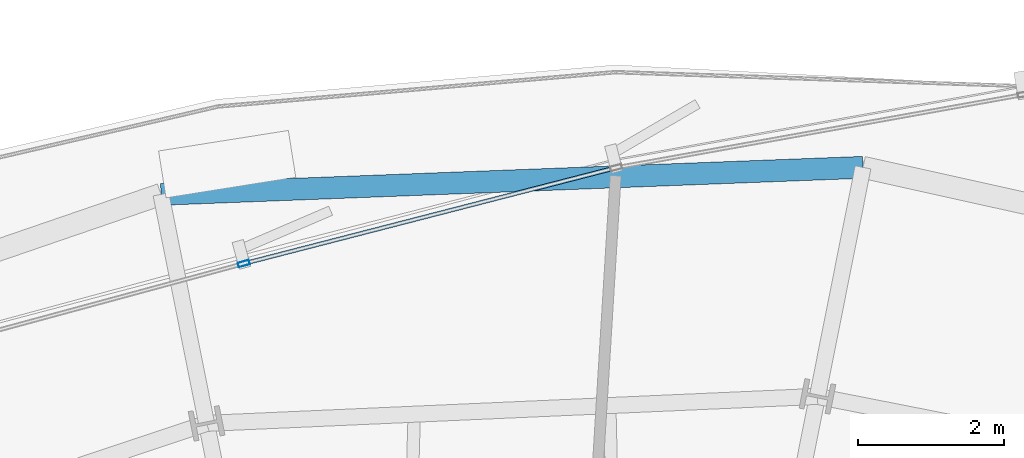
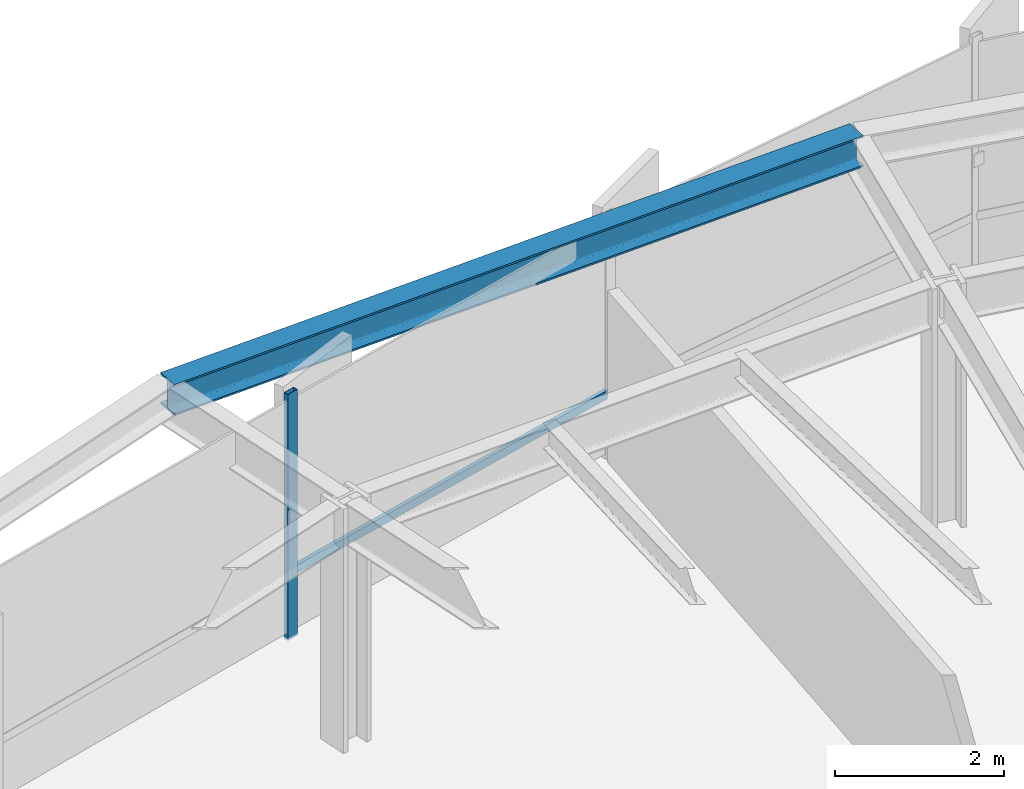
# One storey, part 23 of 38: 2 members, 1 beam, 1 element without a shape of its own.
"""IFC4 building model written with IfcOpenShell, lengths in metres."""

from ifc_helpers import new_model, si_unit, direction, frame, origin, origin_2d, place, context, subcontext, project, spatial, hollow_rectangle, i_section, extrude, source, transform, mapped, material, layer, layer_set, material_profile, profile_set, type_object, element, aggregate, save


model = new_model("IFC4")

# Units and contexts
model_context = context("Model", 3, precision=1e-05, world=origin(), true_north=direction((0.0, 1.0)))
body_context = subcontext(model_context, "Body", "Model", "MODEL_VIEW")
ifc_project = project(units=[si_unit("LENGTHUNIT", "METRE"), si_unit("AREAUNIT", "SQUARE_METRE"), si_unit("VOLUMEUNIT", "CUBIC_METRE"), si_unit("PLANEANGLEUNIT", "RADIAN"), si_unit("MASSUNIT", "GRAM", prefix="KILO"), si_unit("THERMODYNAMICTEMPERATUREUNIT", "KELVIN")], contexts=[model_context])

# Site, building, storey
site_placement = place(None, origin())
site = spatial("IfcSite", under=ifc_project, at=site_placement, CompositionType="ELEMENT")
building_placement = place(site_placement, origin())
building = spatial("IfcBuilding", under=site, at=building_placement, Name="Kethvar Cultural Tower", CompositionType="ELEMENT")
storey_placement = place(building_placement, frame((0.0, 0.0, 67.60009765625)))
storey = spatial("IfcBuildingStorey", under=building, at=storey_placement, Name="L16", CompositionType="ELEMENT", Elevation=67.60009765625)

# Beam
ifc_material_1 = material(Name="Steel S355J2", Category="steel")
ifc_material_profile_1 = material_profile(ifc_material_1, i_section(OverallWidth=0.300048828125, OverallDepth=0.449951171875, WebThickness=0.013916015625, FlangeThickness=0.02587890625, FilletRadius=0.027099609375, at=origin_2d()), Name="Steel S355J2 — HEB450")
ifc_profile_set_1 = profile_set([ifc_material_profile_1], Name="Steel S355J2 — HEB450")
beam_type = type_object("IfcBeamType", Name="BM-SP450", PredefinedType="SPANDREL", material=ifc_profile_set_1)
shared_shape_1 = source(origin(), body_context, "Body", "SweptSolid", [
    extrude(i_section(OverallWidth=0.300048828125, OverallDepth=0.449951171875, WebThickness=0.013916015625, FlangeThickness=0.02587890625, FilletRadius=0.027099609375, at=origin_2d()), origin(), (0.0, 0.0, 1.0), 9.62646484375),
])
beam_placement = place(storey_placement, frame((51.646484375, 52.164306640625, 3.322998046875), z_axis=(-0.999260612605, -0.038447732004, 0.0), x_axis=(0.038447732004, -0.999260612605, 0.0)))
element("IfcBeam", 1, at=beam_placement, inside=storey, type_object=beam_type, Name="L16 Perimeter Spandrel Beam SP-04", PredefinedType="SPANDREL", context=body_context, shape_type="MappedRepresentation", body=[
    mapped(shared_shape_1, transform((0.0, 0.0, 0.0), scale=1.0)),
])

# Curtain wall, members
ifc_material_2 = material(Name="Aluminium 6063-T6", Category="aluminium")
ifc_layer = layer(ifc_material_2, 0.179931640625, Name="Aluminium 6063-T6", Category="aluminium")
ifc_layer_set = layer_set([ifc_layer], Name="Aluminium 6063-T6 (180 mm)")
curtain_wall_type = type_object("IfcCurtainWallType", Name="CW-SYS-02-Z1", PredefinedType="NOTDEFINED", material=ifc_layer_set)
curtain_wall_placement = place(storey_placement, origin())
curtain_wall = element("IfcCurtainWall", 2, at=curtain_wall_placement, inside=storey, type_object=curtain_wall_type, Name="L16 Curtain Wall Run 02", PredefinedType="NOTDEFINED")
ifc_material_profile_2 = material_profile(ifc_material_2, hollow_rectangle(XDim=0.06494140625, YDim=0.159912109375, WallThickness=0.0048828125, at=origin_2d()), Name="Aluminium 6063-T6 — RHS160x65x5")
ifc_profile_set_2 = profile_set([ifc_material_profile_2], Name="Aluminium 6063-T6 — RHS160x65x5")
member_type_1 = type_object("IfcMemberType", Name="CW-SYS-02-Z1-MUL", PredefinedType="MULLION", material=ifc_profile_set_2)
shared_shape_2 = source(origin(), body_context, "Body", "SweptSolid", [
    extrude(hollow_rectangle(XDim=0.06494140625, YDim=0.159912109375, WallThickness=0.0048828125, at=origin_2d()), origin(), (0.0, 0.0, 1.0), 3.5498046875),
])
member_1_placement = place(storey_placement, frame((43.1630859375, 50.845703125, 0.0), z_axis=(0.0, 0.0, 1.0), x_axis=(0.26149856025, -0.965203866024, 0.0)))
member_1 = element("IfcMember", 3, at=member_1_placement, type_object=member_type_1, Name="CW-L16-R02 Mullion 4", PredefinedType="MULLION", context=body_context, shape_type="MappedRepresentation", body=[
    mapped(shared_shape_2, transform((0.0, 0.0, 0.0), scale=1.0)),
])
ifc_material_profile_3 = material_profile(ifc_material_2, hollow_rectangle(XDim=0.054931640625, YDim=0.1201171875, WallThickness=0.00390625, at=origin_2d()), Name="Aluminium 6063-T6 — RHS120x55x4")
ifc_profile_set_3 = profile_set([ifc_material_profile_3], Name="Aluminium 6063-T6 — RHS120x55x4")
member_type_2 = type_object("IfcMemberType", Name="CW-SYS-02-Z1-TRN", PredefinedType="USERDEFINED", material=ifc_profile_set_3)
shared_shape_3 = source(origin(), body_context, "Body", "SweptSolid", [
    extrude(hollow_rectangle(XDim=0.054931640625, YDim=0.1201171875, WallThickness=0.00390625, at=origin_2d()), origin(), (0.0, 0.0, 1.0), 5.175048828125),
])
member_2_placement = place(storey_placement, frame((48.21826171875, 52.14794921875, 0.949951171875), z_axis=(-0.968394675036, -0.249422840499, 0.0), x_axis=(0.249422840499, -0.968394675036, 0.0)))
member_2 = element("IfcMember", 4, at=member_2_placement, type_object=member_type_2, Name="CW-L16-R02 Transom 3", ObjectType="TRANSOM", PredefinedType="USERDEFINED", context=body_context, shape_type="MappedRepresentation", body=[
    mapped(shared_shape_3, transform((0.0, 0.0, 0.0), scale=1.0)),
])
aggregate(curtain_wall, [member_1, member_2])

save(model, "model.ifc")
